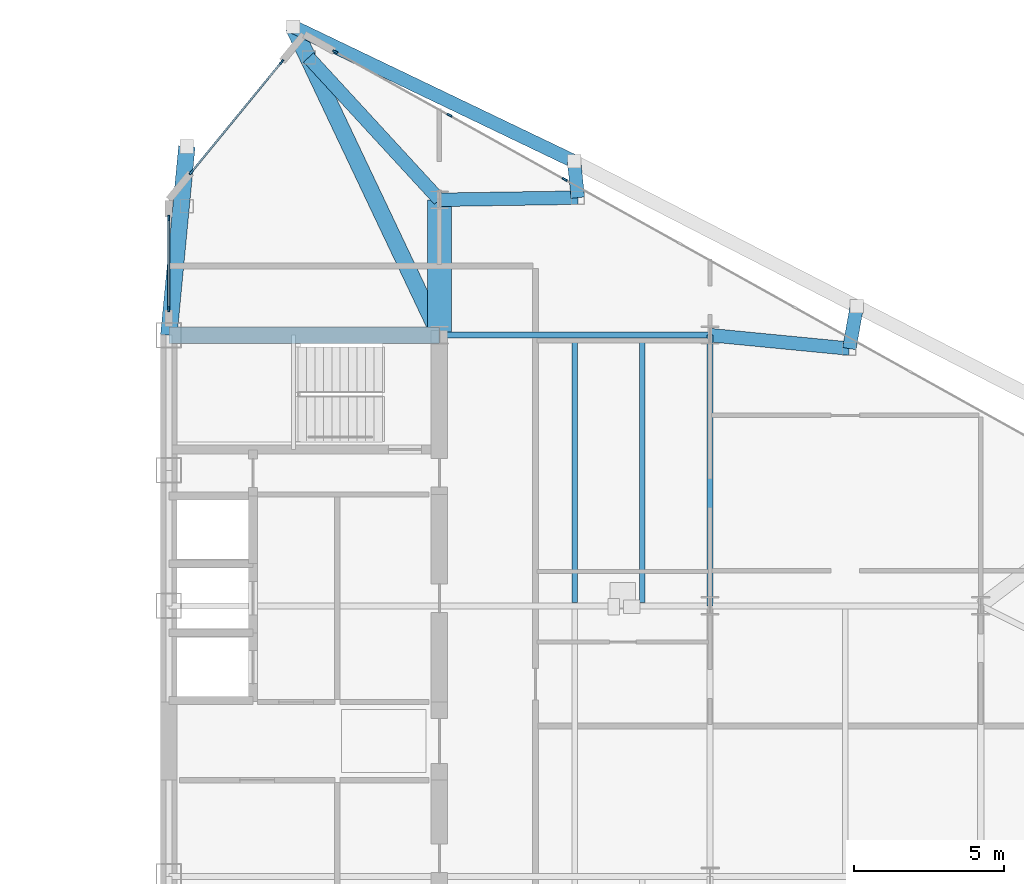
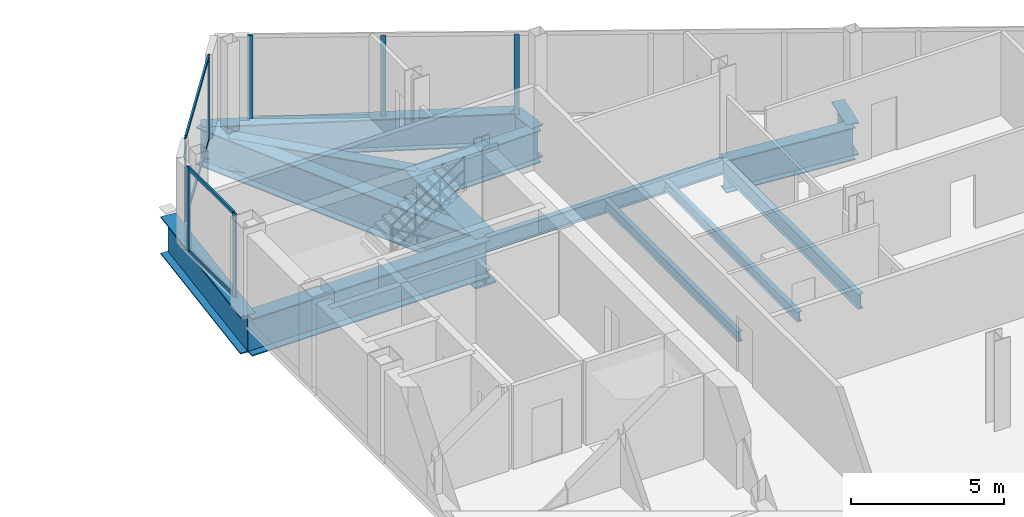
# One storey, part 15 of 28: 14 beams, 11 members, 3 elements without a shape of their own.
"""IFC4 building model written with IfcOpenShell, lengths in metres."""

from ifc_helpers import new_model, si_unit, direction, frame, origin, origin_2d, place, context, subcontext, project, spatial, rectangle, i_section, extrude, source, transform, mapped, material, layer, layer_set, material_profile, profile_set, type_object, type_shapes, element, aggregate, save


model = new_model("IFC4")

# Units and contexts
model_context = context("Model", 3, precision=1e-05, world=origin(), true_north=direction((0.0, 1.0)))
body_context = subcontext(model_context, "Body", "Model", "MODEL_VIEW")
ifc_project = project(units=[si_unit("LENGTHUNIT", "METRE"), si_unit("AREAUNIT", "SQUARE_METRE"), si_unit("VOLUMEUNIT", "CUBIC_METRE"), si_unit("PLANEANGLEUNIT", "RADIAN"), si_unit("MASSUNIT", "GRAM", prefix="KILO")], contexts=[model_context])

# Site, building, storey
site_placement = place(None, origin())
site = spatial("IfcSite", under=ifc_project, at=site_placement, CompositionType="ELEMENT")
building_placement = place(site_placement, origin())
building = spatial("IfcBuilding", under=site, at=building_placement, Name="Seokmaru Belvedere", CompositionType="ELEMENT")
storey_placement = place(building_placement, frame((0.0, 0.0, 158.39990234375)))
storey = spatial("IfcBuildingStorey", under=building, at=storey_placement, Name="L42", CompositionType="ELEMENT", Elevation=158.39990234375)

# Beams
ifc_material_1 = material(Name="Steel HSA650 (650 MPa)", Category="steel")
ifc_material_profile_1 = material_profile(ifc_material_1, i_section(OverallWidth=0.800048828125, OverallDepth=2.0, WebThickness=0.0400390625, FlangeThickness=0.070068359375, at=origin_2d()), Name="BH-2000x800x40x70")
ifc_profile_set_1 = profile_set([ifc_material_profile_1], Name="Steel HSA650 (650 MPa)")
beam_type_1 = type_object("IfcBeamType", Name="Sky-Gate Transfer Truss Chord Girder BH-2000", PredefinedType="BEAM", material=ifc_profile_set_1)
shared_shape_1 = source(origin(), body_context, "Body", "SweptSolid", [
    extrude(i_section(OverallWidth=0.800048828125, OverallDepth=2.0, WebThickness=0.0400390625, FlangeThickness=0.070068359375, at=origin_2d()), origin(), (0.0, 0.0, 1.0), 4.5),
])
type_shapes(beam_type_1, [shared_shape_1])
beam_1_placement = place(storey_placement, frame((36.5, 13.5, -1.219970703125), z_axis=(0.0, 1.0, 0.0), x_axis=(-1.0, 0.0, 0.0)))
element("IfcBeam", 1, at=beam_1_placement, inside=storey, type_object=beam_type_1, Name="L42 E Core Shoulder Girder N", PredefinedType="BEAM", context=body_context, shape_type="MappedRepresentation", body=[
    mapped(shared_shape_1, transform((0.0, 0.0, 0.0), scale=1.0)),
])
ifc_material_profile_2 = material_profile(ifc_material_1, i_section(OverallWidth=0.550048828125, OverallDepth=1.5, WebThickness=0.028076171875, FlangeThickness=0.044921875, at=origin_2d()), Name="BH-1500x550x28x45")
ifc_profile_set_2 = profile_set([ifc_material_profile_2], Name="Steel HSA650 (650 MPa)")
beam_type_2 = type_object("IfcBeamType", Name="Setback Transfer Girder BH-1500", PredefinedType="BEAM", material=ifc_profile_set_2)
shared_shape_2 = source(origin(), body_context, "Body", "SweptSolid", [
    extrude(i_section(OverallWidth=0.550048828125, OverallDepth=1.5, WebThickness=0.028076171875, FlangeThickness=0.044921875, at=origin_2d()), origin(), (0.0, 0.0, 1.0), 9.0),
])
beam_2_placement = place(storey_placement, frame((27.5, 13.5, -0.969970703125), z_axis=(1.0, 0.0, 0.0), x_axis=(0.0, 1.0, 0.0)))
element("IfcBeam", 2, at=beam_2_placement, inside=storey, type_object=beam_type_2, Name="L42 E Core Transfer Header 4", PredefinedType="BEAM", context=body_context, shape_type="MappedRepresentation", body=[
    mapped(shared_shape_2, transform((0.0, 0.0, 0.0), scale=1.0)),
])
ifc_material_2 = material(Name="Steel SM355 (355 MPa)", Category="steel")
ifc_material_profile_3 = material_profile(ifc_material_2, i_section(OverallWidth=0.199951171875, OverallDepth=0.60009765625, WebThickness=0.010986328125, FlangeThickness=0.01708984375, at=origin_2d()), Name="H-600x200x11x17")
ifc_profile_set_3 = profile_set([ifc_material_profile_3], Name="Steel SM355 (355 MPa)")
beam_type_3 = type_object("IfcBeamType", Name="Primary Floor Girder H-600", PredefinedType="BEAM", material=ifc_profile_set_3)
shared_shape_3 = source(origin(), body_context, "Body", "SweptSolid", [
    extrude(i_section(OverallWidth=0.199951171875, OverallDepth=0.60009765625, WebThickness=0.010986328125, FlangeThickness=0.01708984375, at=origin_2d()), origin(), (0.0, 0.0, 1.0), 9.0),
])
type_shapes(beam_type_3, [shared_shape_3])
for number, where, z_axis, x_axis, name in (
    (3, (45.5, 4.5, -0.52001953125), (0.0, 1.0, 0.0), (-1.0, 0.0, 0.0), "L42 E Interior Grid Girder 3"),
    (4, (36.5, 13.5, -0.52001953125), (1.0, 0.0, 0.0), (0.0, 1.0, 0.0), "L42 E Wing Primary Girder 4"),
):
    element("IfcBeam", number, at=place(storey_placement, frame(where, z_axis=z_axis, x_axis=x_axis)), inside=storey, type_object=beam_type_3, Name=name, PredefinedType="BEAM", context=body_context, shape_type="MappedRepresentation", body=[
        mapped(shared_shape_3, transform((0.0, 0.0, 0.0), scale=1.0)),
    ])
ifc_material_profile_4 = material_profile(ifc_material_2, i_section(OverallWidth=0.18505859375, OverallDepth=0.389892578125, WebThickness=0.008056640625, FlangeThickness=0.011962890625, at=origin_2d()), Name="H-390x185x8x12")
ifc_profile_set_4 = profile_set([ifc_material_profile_4], Name="Steel SM355 (355 MPa)")
beam_type_4 = type_object("IfcBeamType", Name="Secondary Floor Joist H-350", PredefinedType="JOIST", material=ifc_profile_set_4)
shared_shape_4 = source(origin(), body_context, "Body", "SweptSolid", [
    extrude(i_section(OverallWidth=0.18505859375, OverallDepth=0.389892578125, WebThickness=0.008056640625, FlangeThickness=0.011962890625, at=origin_2d()), origin(), (0.0, 0.0, 1.0), 8.7900390625),
])
type_shapes(beam_type_4, [shared_shape_4])
for number, where, z_axis, x_axis, name in (
    (5, (43.25, 4.60498046875, -0.414794921875), (0.0, 1.0, 0.0), (-1.0, 0.0, 0.0), "L42 E Wing Inner Secondary Joist 2"),
    (6, (41.0, 4.60498046875, -0.414794921875), (0.0, 1.0, 0.0), (-1.0, 0.0, 0.0), "L42 E Secondary Floor Joist 3"),
):
    element("IfcBeam", number, at=place(storey_placement, frame(where, z_axis=z_axis, x_axis=x_axis)), inside=storey, type_object=beam_type_4, Name=name, PredefinedType="JOIST", context=body_context, shape_type="MappedRepresentation", body=[
        mapped(shared_shape_4, transform((0.0, 0.0, 0.0), scale=1.0)),
    ])
ifc_material_profile_5 = material_profile(ifc_material_1, i_section(OverallWidth=0.449951171875, OverallDepth=1.300048828125, WebThickness=0.02197265625, FlangeThickness=0.0380859375, at=origin_2d()), Name="BH-1300x450x22x38")
ifc_profile_set_5 = profile_set([ifc_material_profile_5], Name="Steel HSA650 (650 MPa)")
beam_type_5 = type_object("IfcBeamType", Name="Observatory Long-Span Roof Girder BH-1300", PredefinedType="BEAM", material=ifc_profile_set_5)
shared_shape_5 = source(origin(), body_context, "Body", "SweptSolid", [
    extrude(i_section(OverallWidth=0.449951171875, OverallDepth=1.300048828125, WebThickness=0.02197265625, FlangeThickness=0.0380859375, at=origin_2d()), origin(), (0.0, 0.0, 1.0), 10.353759765625),
])
beam_3_placement = place(storey_placement, frame((31.6396484375, 23.75390625, -0.869873046875), z_axis=(0.901713202822, -0.432334708134, 0.0), x_axis=(0.432334708134, 0.901713202822, 0.0)))
element("IfcBeam", 7, at=beam_3_placement, inside=storey, type_object=beam_type_5, Name="L42 E Faceted Flank Spandrel N-1", PredefinedType="BEAM", context=body_context, shape_type="MappedRepresentation", body=[
    mapped(shared_shape_5, transform((0.0, 0.0, 0.0), scale=1.0)),
])
shared_shape_6 = source(origin(), body_context, "Body", "SweptSolid", [
    extrude(i_section(OverallWidth=0.550048828125, OverallDepth=1.5, WebThickness=0.028076171875, FlangeThickness=0.044921875, at=origin_2d()), origin(), (0.0, 0.0, 1.0), 6.300537109375),
])
beam_4_placement = place(storey_placement, frame((28.10009765625, 19.77197265625, -0.969970703125), z_axis=(-0.095244287992, -0.995453929424, 0.0), x_axis=(0.995453929424, -0.095244287992, 0.0)))
element("IfcBeam", 8, at=beam_4_placement, inside=storey, type_object=beam_type_2, Name="L42 E Setback Transfer Girder 5", PredefinedType="BEAM", context=body_context, shape_type="MappedRepresentation", body=[
    mapped(shared_shape_6, transform((0.0, 0.0, 0.0), scale=1.0)),
])
shared_shape_7 = source(origin(), body_context, "Body", "SweptSolid", [
    extrude(i_section(OverallWidth=0.550048828125, OverallDepth=1.5, WebThickness=0.028076171875, FlangeThickness=0.044921875, at=origin_2d()), origin(), (0.0, 0.0, 1.0), 11.347412109375),
])
type_shapes(beam_type_2, [shared_shape_2, shared_shape_6, shared_shape_7])
beam_5_placement = place(storey_placement, frame((31.6396484375, 23.75390625, -0.969970703125), z_axis=(0.428319392777, -0.903627410923, 0.0), x_axis=(0.903627410923, 0.428319392777, 0.0)))
element("IfcBeam", 9, at=beam_5_placement, inside=storey, type_object=beam_type_2, Name="L42 E Setback Transfer Girder 4", PredefinedType="BEAM", context=body_context, shape_type="MappedRepresentation", body=[
    mapped(shared_shape_7, transform((0.0, 0.0, 0.0), scale=1.0)),
])
shared_shape_8 = source(origin(), body_context, "Body", "SweptSolid", [
    extrude(i_section(OverallWidth=0.449951171875, OverallDepth=1.300048828125, WebThickness=0.02197265625, FlangeThickness=0.0380859375, at=origin_2d()), origin(), (0.0, 0.0, 1.0), 6.4296875),
])
beam_6_placement = place(storey_placement, frame((32.146728515625, 22.731689453125, -0.869873046875), z_axis=(0.677066401984, -0.73592193017, 0.0), x_axis=(0.73592193017, 0.677066401984, 0.0)))
element("IfcBeam", 10, at=beam_6_placement, inside=storey, type_object=beam_type_5, Name="L42 E Shoulder Sanity Tie Girder 4", PredefinedType="BEAM", context=body_context, shape_type="MappedRepresentation", body=[
    mapped(shared_shape_8, transform((0.0, 0.0, 0.0), scale=1.0)),
])
shared_shape_9 = source(origin(), body_context, "Body", "SweptSolid", [
    extrude(i_section(OverallWidth=0.449951171875, OverallDepth=1.300048828125, WebThickness=0.02197265625, FlangeThickness=0.0380859375, at=origin_2d()), origin(), (0.0, 0.0, 1.0), 1.213623046875),
])
beam_7_placement = place(storey_placement, frame((40.975830078125, 19.277587890625, -0.869873046875), z_axis=(0.105417819447, -0.994428018181, 0.0), x_axis=(0.994428018181, 0.105417819447, 0.0)))
element("IfcBeam", 11, at=beam_7_placement, inside=storey, type_object=beam_type_5, Name="L42 E Flank Setback Step Girder N-1", PredefinedType="BEAM", context=body_context, shape_type="MappedRepresentation", body=[
    mapped(shared_shape_9, transform((0.0, 0.0, 0.0), scale=1.0)),
])
shared_shape_10 = source(origin(), body_context, "Body", "SweptSolid", [
    extrude(i_section(OverallWidth=0.449951171875, OverallDepth=1.300048828125, WebThickness=0.02197265625, FlangeThickness=0.0380859375, at=origin_2d()), origin(), (0.0, 0.0, 1.0), 4.604248046875),
])
beam_8_placement = place(storey_placement, frame((41.103759765625, 18.07080078125, -0.869873046875), z_axis=(-0.999881765622, -0.01537708607, 0.0), x_axis=(0.01537708607, -0.999881765622, 0.0)))
element("IfcBeam", 12, at=beam_8_placement, inside=storey, type_object=beam_type_5, Name="L42 E Flank Setback Back-Span Girder N-1", PredefinedType="BEAM", context=body_context, shape_type="MappedRepresentation", body=[
    mapped(shared_shape_10, transform((0.0, 0.0, 0.0), scale=1.0)),
])
shared_shape_11 = source(origin(), body_context, "Body", "SweptSolid", [
    extrude(i_section(OverallWidth=0.449951171875, OverallDepth=1.300048828125, WebThickness=0.02197265625, FlangeThickness=0.0380859375, at=origin_2d()), origin(), (0.0, 0.0, 1.0), 1.424072265625),
])
beam_9_placement = place(storey_placement, frame((50.377197265625, 14.453369140625, -0.869873046875), z_axis=(-0.174176510903, -0.984714447467, 0.0), x_axis=(0.984714447467, -0.174176510903, 0.0)))
element("IfcBeam", 13, at=beam_9_placement, inside=storey, type_object=beam_type_5, Name="L42 E Flank Setback Step Girder N-2", PredefinedType="BEAM", context=body_context, shape_type="MappedRepresentation", body=[
    mapped(shared_shape_11, transform((0.0, 0.0, 0.0), scale=1.0)),
])
shared_shape_12 = source(origin(), body_context, "Body", "SweptSolid", [
    extrude(i_section(OverallWidth=0.449951171875, OverallDepth=1.300048828125, WebThickness=0.02197265625, FlangeThickness=0.0380859375, at=origin_2d()), origin(), (0.0, 0.0, 1.0), 4.65087890625),
])
type_shapes(beam_type_5, [shared_shape_5, shared_shape_8, shared_shape_9, shared_shape_10, shared_shape_11, shared_shape_12])
beam_10_placement = place(storey_placement, frame((50.129150390625, 13.051025390625, -0.869873046875), z_axis=(-0.995329534874, 0.09653557379, 0.0), x_axis=(-0.09653557379, -0.995329534874, 0.0)))
element("IfcBeam", 14, at=beam_10_placement, inside=storey, type_object=beam_type_5, Name="L42 E Flank Setback Back-Span Girder N-2", PredefinedType="BEAM", context=body_context, shape_type="MappedRepresentation", body=[
    mapped(shared_shape_12, transform((0.0, 0.0, 0.0), scale=1.0)),
])

# Curtain wall, member
ifc_material_3 = material(Name="Bronze Triple Insulating Glass", Category="glass")
ifc_layer = layer(ifc_material_3, 0.179931640625)
ifc_layer_set = layer_set([ifc_layer], Name="Bronze Triple Insulating Glass")
curtain_wall_type = type_object("IfcCurtainWallType", Name="High-Rise Wind-Corner Curtain Wall System CW-5", PredefinedType="NOTDEFINED", material=ifc_layer_set)
curtain_wall_1_placement = place(storey_placement, origin())
curtain_wall_1 = element("IfcCurtainWall", 15, at=curtain_wall_1_placement, inside=storey, type_object=curtain_wall_type, Name="L42 Curtain Wall EF3", PredefinedType="NOTDEFINED")
ifc_material_4 = material(Name="Anodised Bronze Aluminium", Category="aluminium")
ifc_material_profile_6 = material_profile(ifc_material_4, rectangle(XDim=0.06494140625, YDim=0.179931640625, at=origin_2d()), Name="CW-M-65x180")
ifc_profile_set_6 = profile_set([ifc_material_profile_6], Name="Anodised Bronze Aluminium")
member_type_1 = type_object("IfcMemberType", Name="Bronze Unitised Mullion 65x180", PredefinedType="MULLION", material=ifc_profile_set_6)
shared_shape_13 = source(origin(), body_context, "Body", "SweptSolid", [
    extrude(rectangle(XDim=0.06494140625, YDim=0.179931640625, at=origin_2d()), origin(), (0.0, 0.0, 1.0), 3.340087890625),
])
member_1_placement = place(storey_placement, frame((33.033447265625, 22.92529296875, 0.0), z_axis=(0.0, 0.0, 1.0), x_axis=(-0.486047125147, -0.873932601598, 0.0)))
member_1 = element("IfcMember", 16, at=member_1_placement, type_object=member_type_1, Name="CW:L42:EF3 Mullion 10", PredefinedType="MULLION", context=body_context, shape_type="MappedRepresentation", body=[
    mapped(shared_shape_13, transform((0.0, 0.0, 0.0), scale=1.0)),
])

# Curtain wall, members
curtain_wall_2_placement = place(storey_placement, origin())
curtain_wall_2 = element("IfcCurtainWall", 17, at=curtain_wall_2_placement, inside=storey, type_object=curtain_wall_type, Name="L42 Curtain Wall EF4", PredefinedType="NOTDEFINED")
member_2_placement = place(storey_placement, frame((31.251220703125, 22.584716796875, 0.0), z_axis=(0.0, 0.0, 1.0), x_axis=(0.773944112379, -0.633253907144, 0.0)))
member_2 = element("IfcMember", 18, at=member_2_placement, type_object=member_type_1, Name="CW:L42:EF4 Mullion 1", PredefinedType="MULLION", context=body_context, shape_type="MappedRepresentation", body=[
    mapped(shared_shape_13, transform((0.0, 0.0, 0.0), scale=1.0)),
])
member_3_placement = place(storey_placement, frame((28.248779296875, 18.915283203125, 0.0), z_axis=(0.0, 0.0, 1.0), x_axis=(0.773944112379, -0.633253907144, 0.0)))
member_3 = element("IfcMember", 19, at=member_3_placement, type_object=member_type_1, Name="CW:L42:EF4 Mullion 2", PredefinedType="MULLION", context=body_context, shape_type="MappedRepresentation", body=[
    mapped(shared_shape_13, transform((0.0, 0.0, 0.0), scale=1.0)),
])

curtain_wall_3_placement = place(storey_placement, origin())
curtain_wall_3 = element("IfcCurtainWall", 20, at=curtain_wall_3_placement, inside=storey, type_object=curtain_wall_type, Name="L42 Curtain Wall ESP_2", PredefinedType="NOTDEFINED")
member_4_placement = place(storey_placement, frame((27.5, 17.3974609375, 0.0), z_axis=(0.0, 0.0, 1.0), x_axis=(1.0, 0.0, 0.0)))
member_4 = element("IfcMember", 21, at=member_4_placement, type_object=member_type_1, Name="CW:L42:ESP_2 Mullion 1", PredefinedType="MULLION", context=body_context, shape_type="MappedRepresentation", body=[
    mapped(shared_shape_13, transform((0.0, 0.0, 0.0), scale=1.0)),
])
member_5_placement = place(storey_placement, frame((27.5, 14.362548828125, 0.0), z_axis=(0.0, 0.0, 1.0), x_axis=(1.0, 0.0, 0.0)))
member_5 = element("IfcMember", 22, at=member_5_placement, type_object=member_type_1, Name="CW:L42:ESP_2 Mullion 2", PredefinedType="MULLION", context=body_context, shape_type="MappedRepresentation", body=[
    mapped(shared_shape_13, transform((0.0, 0.0, 0.0), scale=1.0)),
])
ifc_material_profile_7 = material_profile(ifc_material_4, rectangle(XDim=0.06494140625, YDim=0.14990234375, at=origin_2d()), Name="CW-T-65x150")
ifc_profile_set_7 = profile_set([ifc_material_profile_7], Name="Anodised Bronze Aluminium")
member_type_2 = type_object("IfcMemberType", Name="Bronze Unitised Transom 65x150", PredefinedType="USERDEFINED", material=ifc_profile_set_7)
shared_shape_14 = source(origin(), body_context, "Body", "SweptSolid", [
    extrude(rectangle(XDim=0.06494140625, YDim=0.14990234375, at=origin_2d()), origin(), (0.0, 0.0, 1.0), 2.969970703125),
])
member_6_placement = place(storey_placement, frame((27.5, 17.364990234375, 0.03271484375), z_axis=(0.0, -1.0, 0.0), x_axis=(1.0, 0.0, 0.0)))
member_6 = element("IfcMember", 23, at=member_6_placement, type_object=member_type_2, Name="CW:L42:ESP_2 Continuous Transom 1", ObjectType="TRANSOM", PredefinedType="USERDEFINED", context=body_context, shape_type="MappedRepresentation", body=[
    mapped(shared_shape_14, transform((0.0, 0.0, 0.0), scale=1.0)),
])
member_7_placement = place(storey_placement, frame((27.5, 17.364990234375, 3.3076171875), z_axis=(0.0, -1.0, 0.0), x_axis=(1.0, 0.0, 0.0)))
member_7 = element("IfcMember", 24, at=member_7_placement, type_object=member_type_2, Name="CW:L42:ESP_2 Continuous Transom 2", ObjectType="TRANSOM", PredefinedType="USERDEFINED", context=body_context, shape_type="MappedRepresentation", body=[
    mapped(shared_shape_14, transform((0.0, 0.0, 0.0), scale=1.0)),
])
aggregate(curtain_wall_3, [member_4, member_5, member_6, member_7])

# Member
shared_shape_15 = source(origin(), body_context, "Body", "SweptSolid", [
    extrude(rectangle(XDim=0.06494140625, YDim=0.14990234375, at=origin_2d()), origin(), (0.0, 0.0, 1.0), 4.67626953125),
])
type_shapes(member_type_2, [shared_shape_14, shared_shape_15])
member_8_placement = place(storey_placement, frame((31.230712890625, 22.5595703125, 0.03271484375), z_axis=(-0.633277591216, -0.773924733074, 0.0), x_axis=(0.773924733074, -0.633277591216, 0.0)))
member_8 = element("IfcMember", 25, at=member_8_placement, type_object=member_type_2, Name="CW:L42:EF4 Continuous Transom 1", ObjectType="TRANSOM", PredefinedType="USERDEFINED", context=body_context, shape_type="MappedRepresentation", body=[
    mapped(shared_shape_15, transform((0.0, 0.0, 0.0), scale=1.0)),
])

member_9_placement = place(storey_placement, frame((31.230712890625, 22.5595703125, 3.3076171875), z_axis=(-0.633277591216, -0.773924733074, 0.0), x_axis=(0.773924733074, -0.633277591216, 0.0)))
member_9 = element("IfcMember", 26, at=member_9_placement, type_object=member_type_2, Name="CW:L42:EF4 Continuous Transom 2", ObjectType="TRANSOM", PredefinedType="USERDEFINED", context=body_context, shape_type="MappedRepresentation", body=[
    mapped(shared_shape_15, transform((0.0, 0.0, 0.0), scale=1.0)),
])

aggregate(curtain_wall_2, [member_2, member_3, member_8, member_9])

shared_shape_16 = source(origin(), body_context, "Body", "SweptSolid", [
    extrude(rectangle(XDim=0.06494140625, YDim=0.179931640625, at=origin_2d()), origin(), (0.0, 0.0, 1.0), 3.2099609375),
])
type_shapes(member_type_1, [shared_shape_13, shared_shape_16])
member_10_placement = place(storey_placement, frame((40.66943359375, 18.67822265625, 0.065185546875), z_axis=(0.0, 0.0, 1.0), x_axis=(-0.486047125147, -0.873932601598, 0.0)))
member_10 = element("IfcMember", 27, at=member_10_placement, type_object=member_type_1, Name="CW:L42:EF3 Mullion 8", PredefinedType="MULLION", context=body_context, shape_type="MappedRepresentation", body=[
    mapped(shared_shape_16, transform((0.0, 0.0, 0.0), scale=1.0)),
])

member_11_placement = place(storey_placement, frame((36.837158203125, 20.809814453125, 0.065185546875), z_axis=(0.0, 0.0, 1.0), x_axis=(-0.486047125147, -0.873932601598, 0.0)))
member_11 = element("IfcMember", 28, at=member_11_placement, type_object=member_type_1, Name="CW:L42:EF3 Mullion 9", PredefinedType="MULLION", context=body_context, shape_type="MappedRepresentation", body=[
    mapped(shared_shape_16, transform((0.0, 0.0, 0.0), scale=1.0)),
])

aggregate(curtain_wall_1, [member_10, member_11, member_1])

save(model, "model.ifc")
